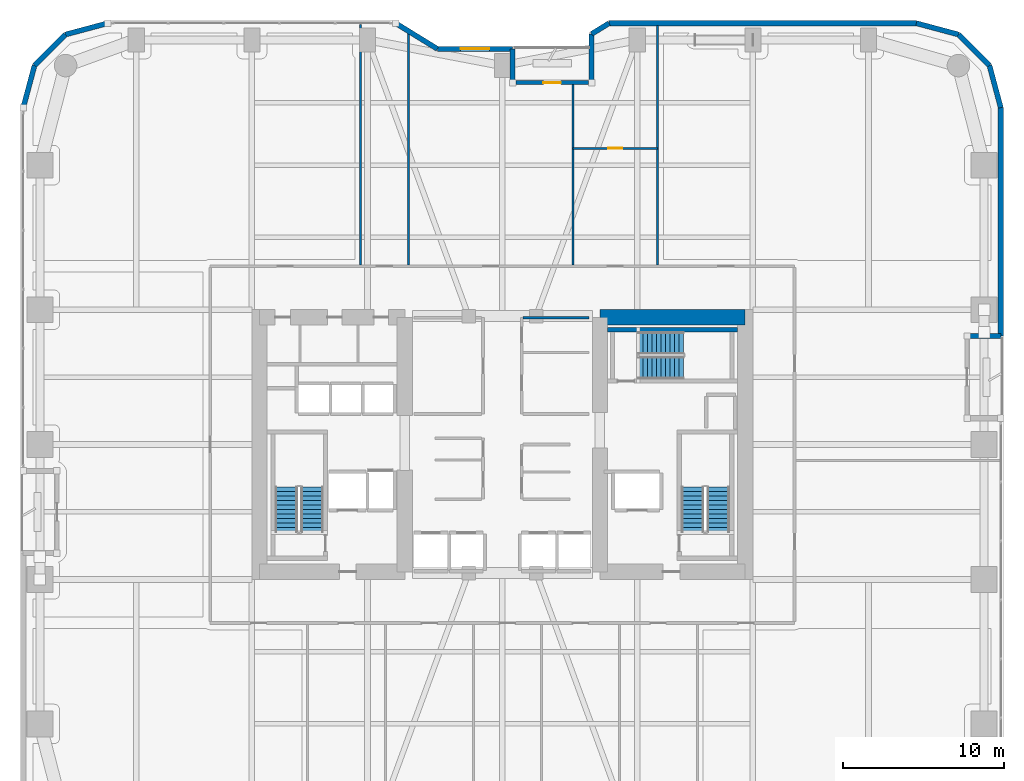
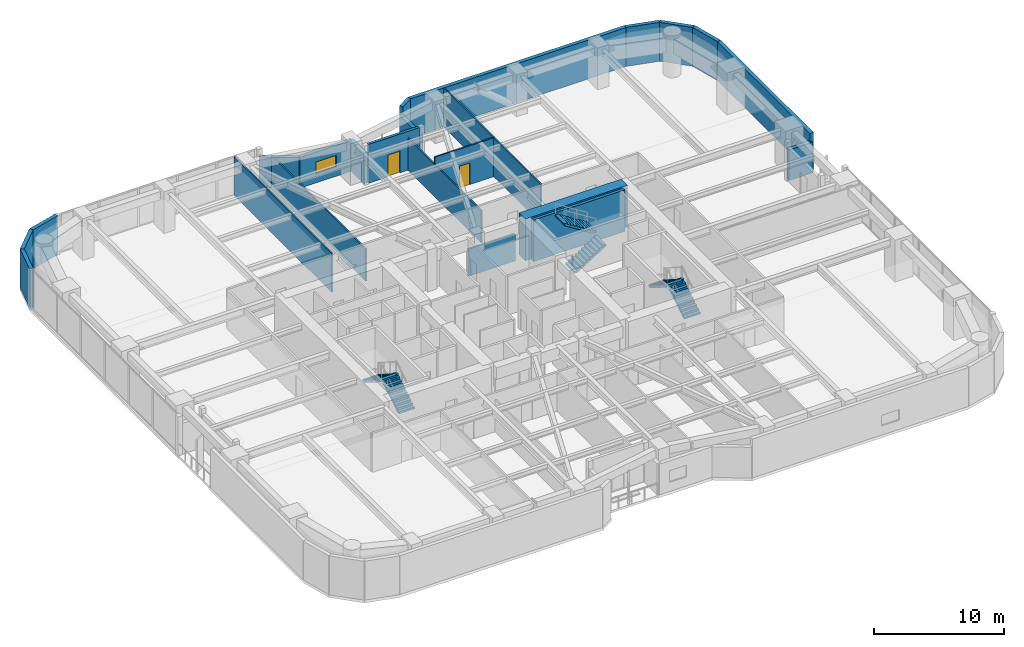
# One storey, part 25 of 29: 23 walls, 6 stair flights, 2 doors, 1 window, 3 openings, 3 elements without a shape of their own.
"""IFC4 building model written with IfcOpenShell, lengths in metres."""

from ifc_helpers import new_model, si_unit, direction, frame, frame_2d, origin, place, context, subcontext, project, spatial, polyline, rectangle, outline, extrude, material, layer, layer_set, type_object, element, fill, aggregate, save


model = new_model("IFC4")

# Units and contexts
model_context = context("Model", 3, precision=1e-05, world=origin(), true_north=direction((0.0, 1.0)))
body_context = subcontext(model_context, "Body", "Model", "MODEL_VIEW")
ifc_project = project(units=[si_unit("LENGTHUNIT", "METRE"), si_unit("AREAUNIT", "SQUARE_METRE"), si_unit("VOLUMEUNIT", "CUBIC_METRE"), si_unit("PLANEANGLEUNIT", "RADIAN"), si_unit("MASSUNIT", "GRAM", prefix="KILO")], contexts=[model_context])

# Site, building, storey
site_placement = place(None, origin())
site = spatial("IfcSite", under=ifc_project, at=site_placement, CompositionType="ELEMENT")
building_placement = place(site_placement, origin())
building = spatial("IfcBuilding", under=site, at=building_placement, Name="Kiyonajd Concourse Tower", CompositionType="ELEMENT")
storey_placement = place(building_placement, frame((0.0, 0.0, 52.800048828125)))
storey = spatial("IfcBuildingStorey", under=building, at=storey_placement, Name="L14", CompositionType="ELEMENT", Elevation=52.800048828125)

# Walls
ifc_material_1 = material(Name="Concrete C80/95", Category="concrete")
ifc_layer_1 = layer(ifc_material_1, 0.949951171875)
ifc_layer_set_1 = layer_set([ifc_layer_1], Name="Concrete C80/95")
wall_type_1 = type_object("IfcWallType", Name="WL-CORE-950", PredefinedType="SHEAR", material=ifc_layer_set_1)
wall_1_placement = place(storey_placement, frame((54.074951171875, 43.925048828125, 0.0), z_axis=(0.0, 0.0, 1.0), x_axis=(1.0, 0.0, 0.0)))
element("IfcWall", 1, at=wall_1_placement, inside=storey, type_object=wall_type_1, Name="L14 East Core North Shear Wall", PredefinedType="SHEAR", context=body_context, shape_type="SweptSolid", body=[
    extrude(rectangle(XDim=9.050048828125, YDim=0.949951171875, at=frame_2d((4.52490234375, 0.0))), origin(), (0.0, 0.0, 1.0), 3.89990234375),
])
ifc_material_2 = material(Name="Precast concrete C50/60", Category="concrete")
ifc_layer_2 = layer(ifc_material_2, 0.320068359375)
ifc_layer_set_2 = layer_set([ifc_layer_2], Name="Precast concrete C50/60")
wall_type_2 = type_object("IfcWallType", Name="WL-EXT-320", PredefinedType="SOLIDWALL", material=ifc_layer_set_2)
wall_2_placement = place(storey_placement, frame((18.159912109375, 56.97900390625, 0.0), z_axis=(0.0, 0.0, 1.0), x_axis=(0.25869736047, 0.965958423373, 0.0)))
element("IfcWall", 2, at=wall_2_placement, inside=storey, type_object=wall_type_2, Name="L14 Exterior Concrete Frame Wall 06", PredefinedType="SOLIDWALL", context=body_context, shape_type="SweptSolid", body=[
    extrude(rectangle(XDim=2.731201171875, YDim=0.320068359375, at=frame_2d((1.36572265625, 0.0))), origin(), (0.0, 0.0, 1.0), 3.639892578125),
])
wall_3_placement = place(storey_placement, frame((18.866455078125, 59.6171875, 0.0), z_axis=(0.0, 0.0, 1.0), x_axis=(0.707106781187, 0.707106781187, 0.0)))
element("IfcWall", 3, at=wall_3_placement, inside=storey, type_object=wall_type_2, Name="L14 Exterior Concrete Frame Wall 07", PredefinedType="SOLIDWALL", context=body_context, shape_type="SweptSolid", body=[
    extrude(rectangle(XDim=2.7099609375, YDim=0.320068359375, at=frame_2d((1.35498046875, 0.0))), origin(), (0.0, 0.0, 1.0), 3.639892578125),
])
wall_4_placement = place(storey_placement, frame((20.78271484375, 61.533447265625, 0.0), z_axis=(0.0, 0.0, 1.0), x_axis=(0.965964405026, 0.25867502435, 0.0)))
element("IfcWall", 4, at=wall_4_placement, inside=storey, type_object=wall_type_2, Name="L14 Exterior Concrete Frame Wall 08", PredefinedType="SOLIDWALL", context=body_context, shape_type="SweptSolid", body=[
    extrude(rectangle(XDim=2.7314453125, YDim=0.320068359375, at=frame_2d((1.36572265625, 0.0))), origin(), (0.0, 0.0, 1.0), 3.639892578125),
])
wall_5_placement = place(storey_placement, frame((41.354736328125, 62.239990234375, 0.0), z_axis=(0.0, 0.0, 1.0), x_axis=(0.851630857047, -0.524142044989, 0.0)))
element("IfcWall", 5, at=wall_5_placement, inside=storey, type_object=wall_type_2, Name="L14 Exterior Concrete Frame Wall 10", PredefinedType="SOLIDWALL", context=body_context, shape_type="SweptSolid", body=[
    extrude(rectangle(XDim=3.052734375, YDim=0.320068359375, at=frame_2d((1.5263671875, 0.0))), origin(), (0.0, 0.0, 1.0), 2.875),
])

# Wall, opening, window
wall_6_placement = place(storey_placement, frame((43.95458984375, 60.639892578125, 0.0), z_axis=(0.0, 0.0, 1.0), x_axis=(1.0, 0.0, 0.0)))
wall_6 = element("IfcWall", 6, at=wall_6_placement, inside=storey, type_object=wall_type_2, Name="L14 Exterior Concrete Frame Wall 11", PredefinedType="SOLIDWALL", context=body_context, shape_type="SweptSolid", body=[
    extrude(rectangle(XDim=4.685302734375, YDim=0.320068359375, at=frame_2d((2.3427734375, 0.0))), origin(), (0.0, 0.0, 1.0), 2.875),
])
opening_1_placement = place(wall_6_placement, frame((1.443115234375, 0.0, 0.85009765625)))
opening_1 = element("IfcOpeningElement", 7, at=opening_1_placement, cuts=wall_6, Name="Opening WN1", PredefinedType="OPENING", context=body_context, shape_type="SweptSolid", body=[
    extrude(rectangle(XDim=1.800048828125, YDim=1.10009765625, at=frame_2d((0.89990234375, 0.550048828125))), frame((0.0, 0.169921875, 0.0), z_axis=(0.0, -1.0, 0.0), x_axis=(1.0, 0.0, 0.0)), (0.0, 0.0, 1.0), 0.340087890625),
])
ifc_material_3 = material(Name="Double Low-E Insulated Glass", Category="glass")
window_type = type_object("IfcWindowType", Name="WN-VIS-1800x1100", PartitioningType="SINGLE_PANEL", PredefinedType="WINDOW", material=ifc_material_3)
window_placement = place(opening_1_placement, origin())
window = element("IfcWindow", 8, at=window_placement, inside=storey, type_object=window_type, Name="L14 Modular Facade Vision Window 11", OverallHeight=1.10009765625, OverallWidth=1.800048828125, PartitioningType="SINGLE_PANEL", PredefinedType="WINDOW", context=body_context, shape_type="SweptSolid", body=[
    extrude(rectangle(XDim=1.800048828125, YDim=1.10009765625, at=frame_2d((0.89990234375, 0.550048828125))), frame((0.0, 0.030029296875, 0.0), z_axis=(0.0, -1.0, 0.0), x_axis=(1.0, 0.0, 0.0)), (0.0, 0.0, 1.0), 0.06005859375),
])
fill(opening_1, window)

# Walls
wall_7_placement = place(storey_placement, frame((48.639892578125, 60.639892578125, 0.0), z_axis=(0.0, 0.0, 1.0), x_axis=(0.0, -1.0, 0.0)))
element("IfcWall", 9, at=wall_7_placement, inside=storey, type_object=wall_type_2, Name="L14 Exterior Concrete Frame Wall 12", PredefinedType="SOLIDWALL", context=body_context, shape_type="SweptSolid", body=[
    extrude(rectangle(XDim=2.099853515625, YDim=0.320068359375, at=frame_2d((1.0498046875, 0.0))), origin(), (0.0, 0.0, 1.0), 2.875),
])
wall_8_placement = place(storey_placement, frame((53.56005859375, 58.5400390625, 0.0), z_axis=(0.0, 0.0, 1.0), x_axis=(0.0, 1.0, 0.0)))
element("IfcWall", 10, at=wall_8_placement, inside=storey, type_object=wall_type_2, Name="L14 Exterior Concrete Frame Wall 14", PredefinedType="SOLIDWALL", context=body_context, shape_type="SweptSolid", body=[
    extrude(rectangle(XDim=3.032470703125, YDim=0.320068359375, at=frame_2d((1.51611328125, 0.0))), origin(), (0.0, 0.0, 1.0), 2.875),
])
wall_9_placement = place(storey_placement, frame((53.56005859375, 61.572509765625, 0.0), z_axis=(0.0, 0.0, 1.0), x_axis=(0.851776724646, 0.523904964045, 0.0)))
element("IfcWall", 11, at=wall_9_placement, inside=storey, type_object=wall_type_2, Name="L14 Exterior Concrete Frame Wall 15", PredefinedType="SOLIDWALL", context=body_context, shape_type="SweptSolid", body=[
    extrude(rectangle(XDim=1.274169921875, YDim=0.320068359375, at=frame_2d((0.63720703125, 0.0))), origin(), (0.0, 0.0, 1.0), 3.639892578125),
])
wall_10_placement = place(storey_placement, frame((54.645263671875, 62.239990234375, 0.0), z_axis=(0.0, 0.0, 1.0), x_axis=(1.0, 0.0, 0.0)))
element("IfcWall", 12, at=wall_10_placement, inside=storey, type_object=wall_type_2, Name="L14 Exterior Concrete Frame Wall 16", PredefinedType="SOLIDWALL", context=body_context, shape_type="SweptSolid", body=[
    extrude(rectangle(XDim=19.133544921875, YDim=0.320068359375, at=frame_2d((9.56689453125, 0.0))), origin(), (0.0, 0.0, 1.0), 3.639892578125),
])
wall_11_placement = place(storey_placement, frame((73.77880859375, 62.239990234375, 0.0), z_axis=(0.0, 0.0, 1.0), x_axis=(0.965964405026, -0.25867502435, 0.0)))
element("IfcWall", 13, at=wall_11_placement, inside=storey, type_object=wall_type_2, Name="L14 Exterior Concrete Frame Wall 17", PredefinedType="SOLIDWALL", context=body_context, shape_type="SweptSolid", body=[
    extrude(rectangle(XDim=2.7314453125, YDim=0.320068359375, at=frame_2d((1.36572265625, 0.0))), origin(), (0.0, 0.0, 1.0), 3.639892578125),
])
wall_12_placement = place(storey_placement, frame((76.417236328125, 61.533447265625, 0.0), z_axis=(0.0, 0.0, 1.0), x_axis=(0.707106781187, -0.707106781187, 0.0)))
element("IfcWall", 14, at=wall_12_placement, inside=storey, type_object=wall_type_2, Name="L14 Exterior Concrete Frame Wall 18", PredefinedType="SOLIDWALL", context=body_context, shape_type="SweptSolid", body=[
    extrude(rectangle(XDim=2.7099609375, YDim=0.320068359375, at=frame_2d((1.35498046875, 0.0))), origin(), (0.0, 0.0, 1.0), 3.639892578125),
])
wall_13_placement = place(storey_placement, frame((78.33349609375, 59.6171875, 0.0), z_axis=(0.0, 0.0, 1.0), x_axis=(0.25869736047, -0.965958423373, 0.0)))
element("IfcWall", 15, at=wall_13_placement, inside=storey, type_object=wall_type_2, Name="L14 Exterior Concrete Frame Wall 19", PredefinedType="SOLIDWALL", context=body_context, shape_type="SweptSolid", body=[
    extrude(rectangle(XDim=2.731201171875, YDim=0.320068359375, at=frame_2d((1.36572265625, 0.0))), origin(), (0.0, 0.0, 1.0), 3.639892578125),
])
wall_14_placement = place(storey_placement, frame((79.0400390625, 56.97900390625, 0.0), z_axis=(0.0, 0.0, 1.0), x_axis=(0.0, -1.0, 0.0)))
element("IfcWall", 16, at=wall_14_placement, inside=storey, type_object=wall_type_2, Name="L14 Exterior Concrete Frame Wall 20", PredefinedType="SOLIDWALL", context=body_context, shape_type="SweptSolid", body=[
    extrude(rectangle(XDim=14.218994140625, YDim=0.320068359375, at=frame_2d((7.109375, 0.0))), origin(), (0.0, 0.0, 1.0), 3.639892578125),
])
wall_15_placement = place(storey_placement, frame((79.0400390625, 42.760009765625, 0.0), z_axis=(0.0, 0.0, 1.0), x_axis=(-1.0, 0.0, 0.0)))
element("IfcWall", 17, at=wall_15_placement, inside=storey, type_object=wall_type_2, Name="L14 Exterior Concrete Frame Wall 21", PredefinedType="SOLIDWALL", context=body_context, shape_type="SweptSolid", body=[
    extrude(rectangle(XDim=2.10009765625, YDim=0.320068359375, at=frame_2d((1.050048828125, 0.0))), origin(), (0.0, 0.0, 1.0), 2.875),
])

# Wall, opening, door
ifc_layer_3 = layer(ifc_material_2, 0.239990234375)
ifc_layer_set_3 = layer_set([ifc_layer_3], Name="Precast concrete C50/60")
wall_type_3 = type_object("IfcWallType", Name="WL-LOG-240", PredefinedType="SOLIDWALL", material=ifc_layer_set_3)
wall_16_placement = place(storey_placement, frame((48.8349609375, 58.5400390625, 0.0), z_axis=(0.0, 0.0, 1.0), x_axis=(1.0, 0.0, 0.0)))
wall_16 = element("IfcWall", 18, at=wall_16_placement, inside=storey, type_object=wall_type_3, Name="L14 Recessed Loggia Thermal Wall LOG-N", PredefinedType="SOLIDWALL", context=body_context, shape_type="SweptSolid", body=[
    extrude(rectangle(XDim=4.530029296875, YDim=0.239990234375, at=frame_2d((2.26513671875, 0.0))), origin(), (0.0, 0.0, 1.0), 3.639892578125),
])
opening_2_placement = place(wall_16_placement, frame((1.715087890625, 0.0, 0.0)))
opening_2 = element("IfcOpeningElement", 19, at=opening_2_placement, cuts=wall_16, Name="Opening DL2", PredefinedType="OPENING", context=body_context, shape_type="SweptSolid", body=[
    extrude(rectangle(XDim=1.10009765625, YDim=2.0400390625, at=frame_2d((0.550048828125, 1.02001953125))), frame((0.0, 0.1298828125, 0.0), z_axis=(0.0, -1.0, 0.0), x_axis=(1.0, 0.0, 0.0)), (0.0, 0.0, 1.0), 0.260009765625),
])
ifc_material_4 = material(Name="Thermally Broken Anodised Aluminium", Category="aluminium")
door_type_1 = type_object("IfcDoorType", Name="DR-LOG-1100", OperationType="NOTDEFINED", PredefinedType="DOOR", material=ifc_material_4)
door_1_placement = place(opening_2_placement, origin())
door_1 = element("IfcDoor", 20, at=door_1_placement, inside=storey, type_object=door_type_1, Name="L14 Engawa Loggia Access Door LOG-N", OperationType="SINGLE_SWING_RIGHT", OverallHeight=2.0400390625, OverallWidth=1.10009765625, PredefinedType="DOOR", context=body_context, shape_type="SweptSolid", body=[
    extrude(rectangle(XDim=1.10009765625, YDim=2.0400390625, at=frame_2d((0.550048828125, 1.02001953125))), frame((0.0, 0.02490234375, 0.0), z_axis=(0.0, -1.0, 0.0), x_axis=(1.0, 0.0, 0.0)), (0.0, 0.0, 1.0), 0.050048828125),
])
fill(opening_2, door_1)

# Walls
ifc_material_5 = material(Name="Gypsum Board on Cold-Formed Steel Stud", Category="steel")
ifc_layer_4 = layer(ifc_material_5, 0.125)
ifc_layer_set_4 = layer_set([ifc_layer_4], Name="Gypsum Board on Cold-Formed Steel Stud")
wall_type_4 = type_object("IfcWallType", Name="WL-PART-125", PredefinedType="PARTITIONING", material=ifc_layer_set_4)
wall_17_placement = place(storey_placement, frame((39.159912109375, 47.197021484375, 0.0), z_axis=(0.0, 0.0, 1.0), x_axis=(0.0, 1.0, 0.0)))
element("IfcWall", 21, at=wall_17_placement, inside=storey, type_object=wall_type_4, Name="L14 Interior Partition Wall", PredefinedType="PARTITIONING", context=body_context, shape_type="SweptSolid", body=[
    extrude(rectangle(XDim=14.9580078125, YDim=0.125, at=frame_2d((7.47900390625, 0.0))), origin(), (0.0, 0.0, 1.0), 3.639892578125),
])
wall_18_placement = place(storey_placement, frame((42.159912109375, 47.197021484375, 0.0), z_axis=(0.0, 0.0, 1.0), x_axis=(0.0, 1.0, 0.0)))
element("IfcWall", 22, at=wall_18_placement, inside=storey, type_object=wall_type_4, Name="L14 Interior Partition Wall", PredefinedType="PARTITIONING", context=body_context, shape_type="SweptSolid", body=[
    extrude(rectangle(XDim=14.39306640625, YDim=0.125, at=frame_2d((7.196533203125, 0.0))), origin(), (0.0, 0.0, 1.0), 3.0029296875),
])

# Wall, opening, door
wall_19_placement = place(storey_placement, frame((52.39990234375, 54.449951171875, 0.0), z_axis=(0.0, 0.0, 1.0), x_axis=(1.0, 0.0, 0.0)))
wall_19 = element("IfcWall", 23, at=wall_19_placement, inside=storey, type_object=wall_type_4, Name="L14 Interior Partition Wall", PredefinedType="PARTITIONING", context=body_context, shape_type="SweptSolid", body=[
    extrude(rectangle(XDim=5.260009765625, YDim=0.125, at=frame_2d((2.6298828125, 0.0))), origin(), (0.0, 0.0, 1.0), 3.639892578125),
])
opening_3_placement = place(wall_19_placement, frame((2.179931640625, 0.0, 0.0)))
opening_3 = element("IfcOpeningElement", 24, at=opening_3_placement, cuts=wall_19, Name="Opening DI2", PredefinedType="OPENING", context=body_context, shape_type="SweptSolid", body=[
    extrude(rectangle(XDim=0.89990234375, YDim=2.02001953125, at=frame_2d((0.449951171875, 1.010009765625))), frame((0.0, 0.072509765625, 0.0), z_axis=(0.0, -1.0, 0.0), x_axis=(1.0, 0.0, 0.0)), (0.0, 0.0, 1.0), 0.14501953125),
])
ifc_material_6 = material(Name="Natural Oak Acoustic Timber Veneer", Category="wood")
door_type_2 = type_object("IfcDoorType", Name="DR-INT-900", OperationType="NOTDEFINED", PredefinedType="DOOR", material=ifc_material_6)
door_2_placement = place(opening_3_placement, origin())
door_2 = element("IfcDoor", 25, at=door_2_placement, inside=storey, type_object=door_type_2, Name="L14 Interior Door", OperationType="SINGLE_SWING_LEFT", OverallHeight=2.02001953125, OverallWidth=0.89990234375, PredefinedType="DOOR", context=body_context, shape_type="SweptSolid", body=[
    extrude(rectangle(XDim=0.89990234375, YDim=2.02001953125, at=frame_2d((0.449951171875, 1.010009765625))), frame((0.0, 0.02490234375, 0.0), z_axis=(0.0, -1.0, 0.0), x_axis=(1.0, 0.0, 0.0)), (0.0, 0.0, 1.0), 0.050048828125),
])
fill(opening_3, door_2)

# Walls
wall_20_placement = place(storey_placement, frame((52.39990234375, 47.197021484375, 0.0), z_axis=(0.0, 0.0, 1.0), x_axis=(0.0, 1.0, 0.0)))
element("IfcWall", 26, at=wall_20_placement, inside=storey, type_object=wall_type_4, Name="L14 Interior Partition Wall", PredefinedType="PARTITIONING", context=body_context, shape_type="SweptSolid", body=[
    extrude(rectangle(XDim=11.22802734375, YDim=0.125, at=frame_2d((5.614013671875, 0.0))), origin(), (0.0, 0.0, 1.0), 3.0029296875),
])
wall_21_placement = place(storey_placement, frame((57.659912109375, 47.197021484375, 0.0), z_axis=(0.0, 0.0, 1.0), x_axis=(0.0, 1.0, 0.0)))
element("IfcWall", 27, at=wall_21_placement, inside=storey, type_object=wall_type_4, Name="L14 Interior Partition Wall", PredefinedType="PARTITIONING", context=body_context, shape_type="SweptSolid", body=[
    extrude(rectangle(XDim=14.887939453125, YDim=0.125, at=frame_2d((7.44384765625, 0.0))), origin(), (0.0, 0.0, 1.0), 3.639892578125),
])
ifc_layer_5 = layer(ifc_material_5, 0.169921875)
ifc_layer_set_5 = layer_set([ifc_layer_5], Name="Gypsum Board on Cold-Formed Steel Stud")
wall_type_5 = type_object("IfcWallType", Name="WL-SMK-170", PredefinedType="PARTITIONING", material=ifc_layer_set_5)
wall_22_placement = place(storey_placement, frame((49.287109375, 43.89990234375, 0.0), z_axis=(0.0, 0.0, 1.0), x_axis=(1.0, 0.0, 0.0)))
element("IfcWall", 28, at=wall_22_placement, inside=storey, type_object=wall_type_5, Name="L14 Interior Partition Wall", PredefinedType="PARTITIONING", context=body_context, shape_type="SweptSolid", body=[
    extrude(rectangle(XDim=4.11279296875, YDim=0.169921875, at=frame_2d((2.056396484375, 0.0))), origin(), (0.0, 0.0, 1.0), 2.52490234375),
])
ifc_material_7 = material(Name="Concrete C50/60", Category="concrete")
ifc_layer_6 = layer(ifc_material_7, 0.260009765625)
ifc_layer_set_6 = layer_set([ifc_layer_6], Name="Concrete C50/60")
wall_type_6 = type_object("IfcWallType", Name="WL-STAIR-260", PredefinedType="SHEAR", material=ifc_layer_set_6)
wall_23_placement = place(storey_placement, frame((54.550048828125, 43.14990234375, 0.0), z_axis=(0.0, 0.0, 1.0), x_axis=(1.0, 0.0, 0.0)))
element("IfcWall", 29, at=wall_23_placement, inside=storey, type_object=wall_type_6, Name="L14 Stair ST3 Structural North Wall", PredefinedType="SHEAR", context=body_context, shape_type="SweptSolid", body=[
    extrude(rectangle(XDim=8.099853515625, YDim=0.260009765625, at=frame_2d((4.0498046875, 0.0))), origin(), (0.0, 0.0, 1.0), 3.89990234375),
])

# Stair, stair flights
ifc_material_8 = material(Name="Concrete C40/50", Category="concrete")
stair_type = type_object("IfcStairType", Name="ST-DLG-22R", PredefinedType="HALF_TURN_STAIR", material=ifc_material_8)
stair_1_placement = place(storey_placement, origin())
stair_1 = element("IfcStair", 30, at=stair_1_placement, inside=storey, type_object=stair_type, Name="L14 Protected Exit Stair ST1", PredefinedType="HALF_TURN_STAIR")
stair_flight_type = type_object("IfcStairFlightType", Name="SF-STR-22R", PredefinedType="STRAIGHT", material=ifc_material_8)
stair_flight_1_placement = place(storey_placement, frame((36.14990234375, 30.550048828125, 0.0), z_axis=(0.0, 0.0, 1.0), x_axis=(0.0, 1.0, 0.0)))
stair_flight_1 = element("IfcStairFlight", 31, at=stair_flight_1_placement, type_object=stair_flight_type, Name="ST1 flight 1", NumberOfRisers=11, NumberOfTreads=10, PredefinedType="STRAIGHT", RiserHeight=0.177272727, TreadLength=0.28, context=body_context, shape_type="SweptSolid", body=[
    extrude(outline(polyline([(0.0, 0.0), (0.0, 0.17724609375), (0.280029296875, 0.17724609375), (0.280029296875, 0.3544921875), (0.56005859375, 0.3544921875), (0.56005859375, 0.53173828125), (0.840087890625, 0.53173828125), (0.840087890625, 0.708984375), (1.1201171875, 0.708984375), (1.1201171875, 0.886474609375), (1.39990234375, 0.886474609375), (1.39990234375, 1.063720703125), (1.679931640625, 1.063720703125), (1.679931640625, 1.240966796875), (1.9599609375, 1.240966796875), (1.9599609375, 1.418212890625), (2.239990234375, 1.418212890625), (2.239990234375, 1.595458984375), (2.52001953125, 1.595458984375), (2.52001953125, 1.772705078125), (2.800048828125, 1.772705078125), (2.800048828125, 1.949951171875), (2.800048828125, 1.59521484375), (0.2802734375, 0.0), (0.0, 0.0)])), frame((0.0, 0.699951171875, 0.0), z_axis=(0.0, -1.0, 0.0), x_axis=(1.0, 0.0, 0.0)), (0.0, 0.0, 1.0), 1.39990234375),
])
stair_flight_2_placement = place(storey_placement, frame((34.550048828125, 33.35009765625, 1.949951171875), z_axis=(0.0, 0.0, 1.0), x_axis=(0.0, -1.0, 0.0)))
stair_flight_2 = element("IfcStairFlight", 32, at=stair_flight_2_placement, type_object=stair_flight_type, Name="ST1 flight 2", NumberOfRisers=11, NumberOfTreads=10, PredefinedType="STRAIGHT", RiserHeight=0.177272727, TreadLength=0.28, context=body_context, shape_type="SweptSolid", body=[
    extrude(outline(polyline([(0.0, 0.0), (0.0, 0.17724609375), (0.280029296875, 0.17724609375), (0.280029296875, 0.3544921875), (0.56005859375, 0.3544921875), (0.56005859375, 0.53173828125), (0.840087890625, 0.53173828125), (0.840087890625, 0.708984375), (1.1201171875, 0.708984375), (1.1201171875, 0.886474609375), (1.39990234375, 0.886474609375), (1.39990234375, 1.063720703125), (1.679931640625, 1.063720703125), (1.679931640625, 1.240966796875), (1.9599609375, 1.240966796875), (1.9599609375, 1.418212890625), (2.239990234375, 1.418212890625), (2.239990234375, 1.595458984375), (2.52001953125, 1.595458984375), (2.52001953125, 1.772705078125), (2.800048828125, 1.772705078125), (2.800048828125, 1.949951171875), (2.800048828125, 1.59521484375), (0.2802734375, 0.0), (0.0, 0.0)])), frame((0.0, 0.699951171875, 0.0), z_axis=(0.0, -1.0, 0.0), x_axis=(1.0, 0.0, 0.0)), (0.0, 0.0, 1.0), 1.39990234375),
])
aggregate(stair_1, [stair_flight_1, stair_flight_2])

stair_2_placement = place(storey_placement, origin())
stair_2 = element("IfcStair", 33, at=stair_2_placement, inside=storey, type_object=stair_type, Name="L14 Protected Exit Stair ST2", PredefinedType="HALF_TURN_STAIR")
stair_flight_3_placement = place(storey_placement, frame((61.449951171875, 30.550048828125, 0.0), z_axis=(0.0, 0.0, 1.0), x_axis=(0.0, 1.0, 0.0)))
stair_flight_3 = element("IfcStairFlight", 34, at=stair_flight_3_placement, type_object=stair_flight_type, Name="ST2 flight 1", NumberOfRisers=11, NumberOfTreads=10, PredefinedType="STRAIGHT", RiserHeight=0.177272727, TreadLength=0.28, context=body_context, shape_type="SweptSolid", body=[
    extrude(outline(polyline([(0.0, 0.0), (0.0, 0.17724609375), (0.280029296875, 0.17724609375), (0.280029296875, 0.3544921875), (0.56005859375, 0.3544921875), (0.56005859375, 0.53173828125), (0.840087890625, 0.53173828125), (0.840087890625, 0.708984375), (1.1201171875, 0.708984375), (1.1201171875, 0.886474609375), (1.39990234375, 0.886474609375), (1.39990234375, 1.063720703125), (1.679931640625, 1.063720703125), (1.679931640625, 1.240966796875), (1.9599609375, 1.240966796875), (1.9599609375, 1.418212890625), (2.239990234375, 1.418212890625), (2.239990234375, 1.595458984375), (2.52001953125, 1.595458984375), (2.52001953125, 1.772705078125), (2.800048828125, 1.772705078125), (2.800048828125, 1.949951171875), (2.800048828125, 1.59521484375), (0.2802734375, 0.0), (0.0, 0.0)])), frame((0.0, 0.699951171875, 0.0), z_axis=(0.0, -1.0, 0.0), x_axis=(1.0, 0.0, 0.0)), (0.0, 0.0, 1.0), 1.39990234375),
])
stair_flight_4_placement = place(storey_placement, frame((59.85009765625, 33.35009765625, 1.949951171875), z_axis=(0.0, 0.0, 1.0), x_axis=(0.0, -1.0, 0.0)))
stair_flight_4 = element("IfcStairFlight", 35, at=stair_flight_4_placement, type_object=stair_flight_type, Name="ST2 flight 2", NumberOfRisers=11, NumberOfTreads=10, PredefinedType="STRAIGHT", RiserHeight=0.177272727, TreadLength=0.28, context=body_context, shape_type="SweptSolid", body=[
    extrude(outline(polyline([(0.0, 0.0), (0.0, 0.17724609375), (0.280029296875, 0.17724609375), (0.280029296875, 0.3544921875), (0.56005859375, 0.3544921875), (0.56005859375, 0.53173828125), (0.840087890625, 0.53173828125), (0.840087890625, 0.708984375), (1.1201171875, 0.708984375), (1.1201171875, 0.886474609375), (1.39990234375, 0.886474609375), (1.39990234375, 1.063720703125), (1.679931640625, 1.063720703125), (1.679931640625, 1.240966796875), (1.9599609375, 1.240966796875), (1.9599609375, 1.418212890625), (2.239990234375, 1.418212890625), (2.239990234375, 1.595458984375), (2.52001953125, 1.595458984375), (2.52001953125, 1.772705078125), (2.800048828125, 1.772705078125), (2.800048828125, 1.949951171875), (2.800048828125, 1.59521484375), (0.2802734375, 0.0), (0.0, 0.0)])), frame((0.0, 0.699951171875, 0.0), z_axis=(0.0, -1.0, 0.0), x_axis=(1.0, 0.0, 0.0)), (0.0, 0.0, 1.0), 1.39990234375),
])
aggregate(stair_2, [stair_flight_3, stair_flight_4])

stair_3_placement = place(storey_placement, origin())
stair_3 = element("IfcStair", 36, at=stair_3_placement, inside=storey, type_object=stair_type, Name="L14 Protected Exit Stair ST3", PredefinedType="HALF_TURN_STAIR")
stair_flight_5_placement = place(storey_placement, frame((56.47998046875, 40.780029296875, 0.0), z_axis=(0.0, 0.0, 1.0), x_axis=(1.0, 0.0, 0.0)))
stair_flight_5 = element("IfcStairFlight", 37, at=stair_flight_5_placement, type_object=stair_flight_type, Name="ST3 flight 1", NumberOfRisers=11, NumberOfTreads=10, PredefinedType="STRAIGHT", RiserHeight=0.177272727, TreadLength=0.28, context=body_context, shape_type="SweptSolid", body=[
    extrude(outline(polyline([(0.0, 0.0), (0.0, 0.17724609375), (0.280029296875, 0.17724609375), (0.280029296875, 0.3544921875), (0.56005859375, 0.3544921875), (0.56005859375, 0.53173828125), (0.840087890625, 0.53173828125), (0.840087890625, 0.708984375), (1.1201171875, 0.708984375), (1.1201171875, 0.886474609375), (1.39990234375, 0.886474609375), (1.39990234375, 1.063720703125), (1.679931640625, 1.063720703125), (1.679931640625, 1.240966796875), (1.9599609375, 1.240966796875), (1.9599609375, 1.418212890625), (2.239990234375, 1.418212890625), (2.239990234375, 1.595458984375), (2.52001953125, 1.595458984375), (2.52001953125, 1.772705078125), (2.800048828125, 1.772705078125), (2.800048828125, 1.949951171875), (2.800048828125, 1.59521484375), (0.2802734375, 0.0), (0.0, 0.0)])), frame((0.0, 0.699951171875, 0.0), z_axis=(0.0, -1.0, 0.0), x_axis=(1.0, 0.0, 0.0)), (0.0, 0.0, 1.0), 1.39990234375),
])
stair_flight_6_placement = place(storey_placement, frame((59.280029296875, 42.320068359375, 1.949951171875), z_axis=(0.0, 0.0, 1.0), x_axis=(-1.0, 0.0, 0.0)))
stair_flight_6 = element("IfcStairFlight", 38, at=stair_flight_6_placement, type_object=stair_flight_type, Name="ST3 flight 2", NumberOfRisers=11, NumberOfTreads=10, PredefinedType="STRAIGHT", RiserHeight=0.177272727, TreadLength=0.28, context=body_context, shape_type="SweptSolid", body=[
    extrude(outline(polyline([(0.0, 0.0), (0.0, 0.17724609375), (0.280029296875, 0.17724609375), (0.280029296875, 0.3544921875), (0.56005859375, 0.3544921875), (0.56005859375, 0.53173828125), (0.840087890625, 0.53173828125), (0.840087890625, 0.708984375), (1.1201171875, 0.708984375), (1.1201171875, 0.886474609375), (1.39990234375, 0.886474609375), (1.39990234375, 1.063720703125), (1.679931640625, 1.063720703125), (1.679931640625, 1.240966796875), (1.9599609375, 1.240966796875), (1.9599609375, 1.418212890625), (2.239990234375, 1.418212890625), (2.239990234375, 1.595458984375), (2.52001953125, 1.595458984375), (2.52001953125, 1.772705078125), (2.800048828125, 1.772705078125), (2.800048828125, 1.949951171875), (2.800048828125, 1.59521484375), (0.2802734375, 0.0), (0.0, 0.0)])), frame((0.0, 0.699951171875, 0.0), z_axis=(0.0, -1.0, 0.0), x_axis=(1.0, 0.0, 0.0)), (0.0, 0.0, 1.0), 1.39990234375),
])
aggregate(stair_3, [stair_flight_5, stair_flight_6])

save(model, "model.ifc")
